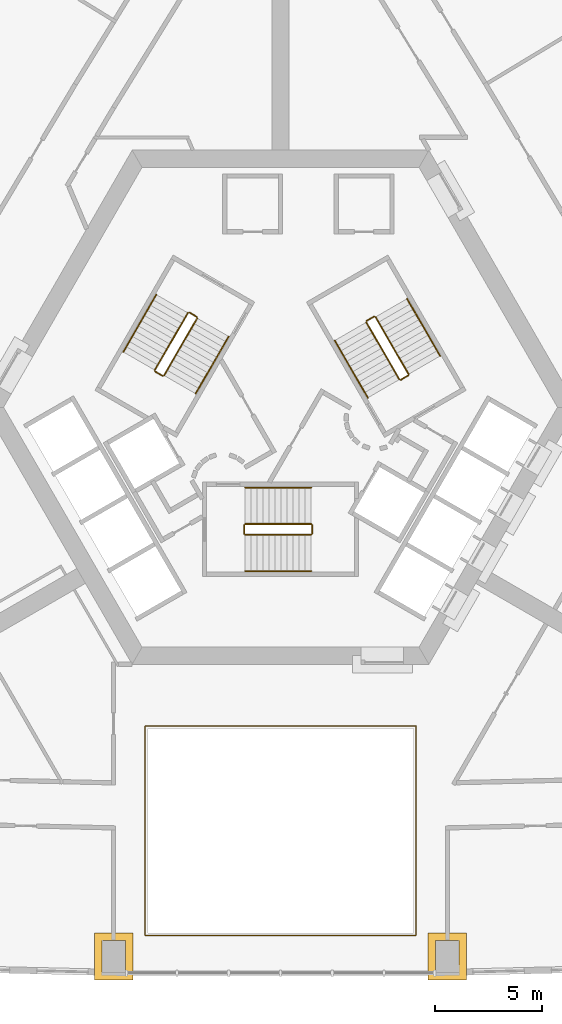
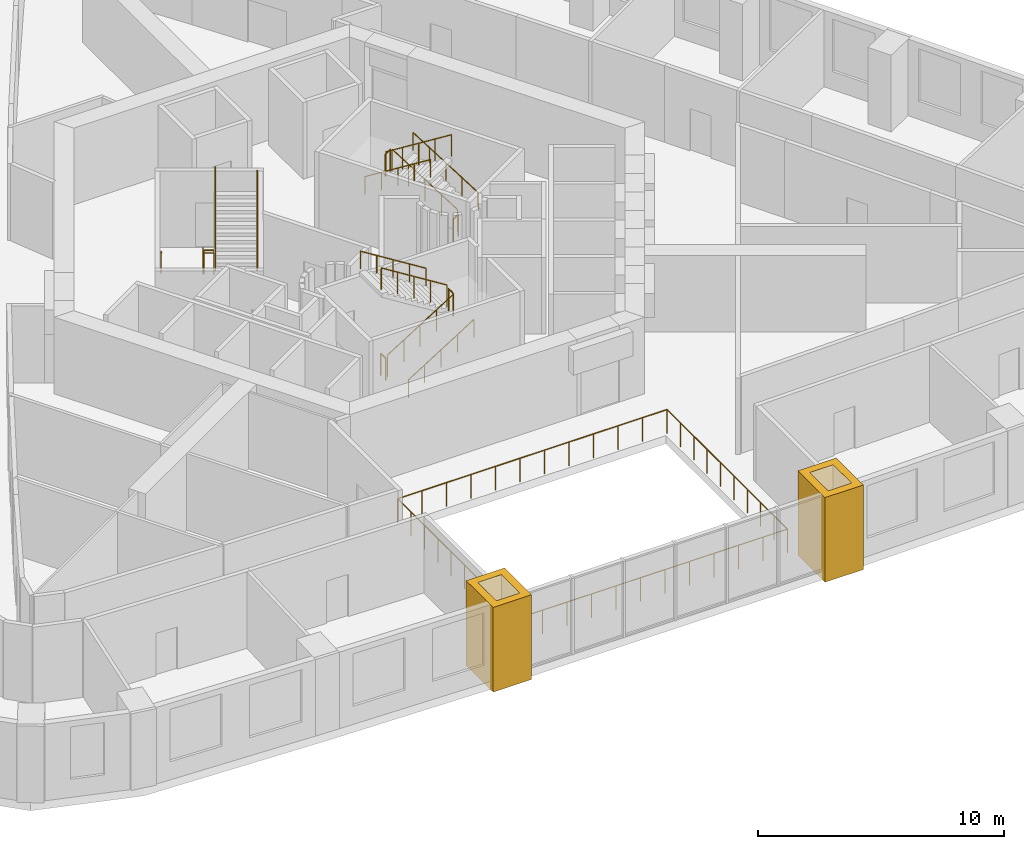
# One storey, part 12 of 12: 19 railings, 2 coverings.
"""IFC4 building model written with IfcOpenShell, lengths in metres."""

from ifc_helpers import new_model, si_unit, direction, frame, origin, origin_2d, place, context, subcontext, project, spatial, polyline, circle, outline, extrude, material, type_object, element, save


model = new_model("IFC4")

# Units and contexts
model_context = context("Model", 3, precision=1e-05, world=origin(), true_north=direction((0.0, 1.0)))
body_context = subcontext(model_context, "Body", "Model", "MODEL_VIEW")
ifc_project = project(units=[si_unit("LENGTHUNIT", "METRE"), si_unit("AREAUNIT", "SQUARE_METRE"), si_unit("VOLUMEUNIT", "CUBIC_METRE"), si_unit("PLANEANGLEUNIT", "RADIAN"), si_unit("MASSUNIT", "GRAM", prefix="KILO")], contexts=[model_context])

# Site, building, storey
site_placement = place(None, origin())
site = spatial("IfcSite", under=ifc_project, at=site_placement, CompositionType="ELEMENT")
building_placement = place(site_placement, origin())
building = spatial("IfcBuilding", under=site, at=building_placement, Name="Entoto Arch Interchange Tower", CompositionType="ELEMENT")
storey_placement = place(building_placement, frame((0.0, 0.0, 142.39990234375)))
storey = spatial("IfcBuildingStorey", under=building, at=storey_placement, Name="L31", CompositionType="ELEMENT", Elevation=142.39990234375)

# Railing
ifc_material_1 = material(Name="Stainless steel 1.4301", Category="steel")
railing_type_1 = type_object("IfcRailingType", Name="ATRIUM GUARD 1200 STEEL AND GLASS", PredefinedType="GUARDRAIL", material=ifc_material_1)
railing_1_placement = place(storey_placement, frame((6.320068359375, -22.160888671875, 0.0)))
element("IfcRailing", 1, at=railing_1_placement, inside=storey, type_object=railing_type_1, Name="Atrium guard L31", PredefinedType="GUARDRAIL", context=body_context, shape_type="SweptSolid", body=[
    extrude(circle(Radius=0.02392578125, at=origin_2d()), frame((0.0, 0.0, 1.17578125), z_axis=(-1.0, 0.0, 0.0), x_axis=(0.0, -1.0, 0.0)), (0.0, 0.0, 1.0), 12.64013671875),
    extrude(circle(Radius=0.02392578125, at=origin_2d()), frame((-12.64013671875, 0.0, 1.17578125), z_axis=(0.0, 1.0, 0.0), x_axis=(-1.0, 0.0, 0.0)), (0.0, 0.0, 1.0), 9.781005859375),
    extrude(circle(Radius=0.02392578125, at=origin_2d()), frame((-12.64013671875, 9.781005859375, 1.17578125), z_axis=(1.0, 0.0, 0.0), x_axis=(0.0, 1.0, 0.0)), (0.0, 0.0, 1.0), 12.64013671875),
    extrude(circle(Radius=0.02392578125, at=origin_2d()), frame((0.0, 9.781005859375, 1.17578125), z_axis=(0.0, -1.0, 0.0), x_axis=(1.0, 0.0, 0.0)), (0.0, 0.0, 1.0), 9.781005859375),
    extrude(circle(Radius=0.02099609375, at=origin_2d()), origin(), (0.0, 0.0, 1.0), 1.15185546875),
    extrude(circle(Radius=0.02099609375, at=origin_2d()), frame((-1.149169921875, 0.0, 0.0)), (0.0, 0.0, 1.0), 1.15185546875),
    extrude(circle(Radius=0.02099609375, at=origin_2d()), frame((-2.298095703125, 0.0, 0.0)), (0.0, 0.0, 1.0), 1.15185546875),
    extrude(circle(Radius=0.02099609375, at=origin_2d()), frame((-3.447265625, 0.0, 0.0)), (0.0, 0.0, 1.0), 1.15185546875),
    extrude(circle(Radius=0.02099609375, at=origin_2d()), frame((-4.596435546875, 0.0, 0.0)), (0.0, 0.0, 1.0), 1.15185546875),
    extrude(circle(Radius=0.02099609375, at=origin_2d()), frame((-5.74560546875, 0.0, 0.0)), (0.0, 0.0, 1.0), 1.15185546875),
    extrude(circle(Radius=0.02099609375, at=origin_2d()), frame((-6.89453125, 0.0, 0.0)), (0.0, 0.0, 1.0), 1.15185546875),
    extrude(circle(Radius=0.02099609375, at=origin_2d()), frame((-8.043701171875, 0.0, 0.0)), (0.0, 0.0, 1.0), 1.15185546875),
    extrude(circle(Radius=0.02099609375, at=origin_2d()), frame((-9.19287109375, 0.0, 0.0)), (0.0, 0.0, 1.0), 1.15185546875),
    extrude(circle(Radius=0.02099609375, at=origin_2d()), frame((-10.342041015625, 0.0, 0.0)), (0.0, 0.0, 1.0), 1.15185546875),
    extrude(circle(Radius=0.02099609375, at=origin_2d()), frame((-11.490966796875, 0.0, 0.0)), (0.0, 0.0, 1.0), 1.15185546875),
    extrude(circle(Radius=0.02099609375, at=origin_2d()), frame((-12.64013671875, 0.0, 0.0)), (0.0, 0.0, 1.0), 1.15185546875),
    extrude(circle(Radius=0.02099609375, at=origin_2d()), frame((-12.64013671875, 1.086669921875, 0.0)), (0.0, 0.0, 1.0), 1.15185546875),
    extrude(circle(Radius=0.02099609375, at=origin_2d()), frame((-12.64013671875, 2.173583984375, 0.0)), (0.0, 0.0, 1.0), 1.15185546875),
    extrude(circle(Radius=0.02099609375, at=origin_2d()), frame((-12.64013671875, 3.26025390625, 0.0)), (0.0, 0.0, 1.0), 1.15185546875),
    extrude(circle(Radius=0.02099609375, at=origin_2d()), frame((-12.64013671875, 4.34716796875, 0.0)), (0.0, 0.0, 1.0), 1.15185546875),
    extrude(circle(Radius=0.02099609375, at=origin_2d()), frame((-12.64013671875, 5.433837890625, 0.0)), (0.0, 0.0, 1.0), 1.15185546875),
    extrude(circle(Radius=0.02099609375, at=origin_2d()), frame((-12.64013671875, 6.520751953125, 0.0)), (0.0, 0.0, 1.0), 1.15185546875),
    extrude(circle(Radius=0.02099609375, at=origin_2d()), frame((-12.64013671875, 7.607421875, 0.0)), (0.0, 0.0, 1.0), 1.15185546875),
    extrude(circle(Radius=0.02099609375, at=origin_2d()), frame((-12.64013671875, 8.6943359375, 0.0)), (0.0, 0.0, 1.0), 1.15185546875),
    extrude(circle(Radius=0.02099609375, at=origin_2d()), frame((-12.64013671875, 9.781005859375, 0.0)), (0.0, 0.0, 1.0), 1.15185546875),
    extrude(circle(Radius=0.02099609375, at=origin_2d()), frame((-11.490966796875, 9.781005859375, 0.0)), (0.0, 0.0, 1.0), 1.15185546875),
    extrude(circle(Radius=0.02099609375, at=origin_2d()), frame((-10.342041015625, 9.781005859375, 0.0)), (0.0, 0.0, 1.0), 1.15185546875),
    extrude(circle(Radius=0.02099609375, at=origin_2d()), frame((-9.19287109375, 9.781005859375, 0.0)), (0.0, 0.0, 1.0), 1.15185546875),
    extrude(circle(Radius=0.02099609375, at=origin_2d()), frame((-8.043701171875, 9.781005859375, 0.0)), (0.0, 0.0, 1.0), 1.15185546875),
    extrude(circle(Radius=0.02099609375, at=origin_2d()), frame((-6.89453125, 9.781005859375, 0.0)), (0.0, 0.0, 1.0), 1.15185546875),
    extrude(circle(Radius=0.02099609375, at=origin_2d()), frame((-5.74560546875, 9.781005859375, 0.0)), (0.0, 0.0, 1.0), 1.15185546875),
    extrude(circle(Radius=0.02099609375, at=origin_2d()), frame((-4.596435546875, 9.781005859375, 0.0)), (0.0, 0.0, 1.0), 1.15185546875),
    extrude(circle(Radius=0.02099609375, at=origin_2d()), frame((-3.447265625, 9.781005859375, 0.0)), (0.0, 0.0, 1.0), 1.15185546875),
    extrude(circle(Radius=0.02099609375, at=origin_2d()), frame((-2.298095703125, 9.781005859375, 0.0)), (0.0, 0.0, 1.0), 1.15185546875),
    extrude(circle(Radius=0.02099609375, at=origin_2d()), frame((-1.149169921875, 9.781005859375, 0.0)), (0.0, 0.0, 1.0), 1.15185546875),
    extrude(circle(Radius=0.02099609375, at=origin_2d()), frame((0.0, 9.781005859375, 0.0)), (0.0, 0.0, 1.0), 1.15185546875),
    extrude(circle(Radius=0.02099609375, at=origin_2d()), frame((0.0, 8.6943359375, 0.0)), (0.0, 0.0, 1.0), 1.15185546875),
    extrude(circle(Radius=0.02099609375, at=origin_2d()), frame((0.0, 7.607421875, 0.0)), (0.0, 0.0, 1.0), 1.15185546875),
    extrude(circle(Radius=0.02099609375, at=origin_2d()), frame((0.0, 6.520751953125, 0.0)), (0.0, 0.0, 1.0), 1.15185546875),
    extrude(circle(Radius=0.02099609375, at=origin_2d()), frame((0.0, 5.433837890625, 0.0)), (0.0, 0.0, 1.0), 1.15185546875),
    extrude(circle(Radius=0.02099609375, at=origin_2d()), frame((0.0, 4.34716796875, 0.0)), (0.0, 0.0, 1.0), 1.15185546875),
    extrude(circle(Radius=0.02099609375, at=origin_2d()), frame((0.0, 3.26025390625, 0.0)), (0.0, 0.0, 1.0), 1.15185546875),
    extrude(circle(Radius=0.02099609375, at=origin_2d()), frame((0.0, 2.173583984375, 0.0)), (0.0, 0.0, 1.0), 1.15185546875),
    extrude(circle(Radius=0.02099609375, at=origin_2d()), frame((0.0, 1.086669921875, 0.0)), (0.0, 0.0, 1.0), 1.15185546875),
])

# Coverings
ifc_material_2 = material(Name="Board-marked precast concrete C50/60", Category="concrete")
covering_type = type_object("IfcCoveringType", Name="PRECAST FRAME COURSE", PredefinedType="CLADDING", material=ifc_material_2)
covering_1_placement = place(storey_placement, frame((0.0, 0.0, -0.39990234375)))
element("IfcCovering", 2, at=covering_1_placement, inside=storey, type_object=covering_type, Name="Gate pier L31", PredefinedType="CLADDING", context=body_context, shape_type="SweptSolid", body=[
    extrude(outline(polyline([(-8.68896484375, -22.041015625), (-6.888916015625, -22.041015625), (-6.888916015625, -24.240966796875), (-8.68896484375, -24.240966796875), (-8.68896484375, -22.041015625)]), holes=[polyline([(-8.339111328125, -22.39111328125), (-8.339111328125, -23.89111328125), (-7.239013671875, -23.89111328125), (-7.239013671875, -22.39111328125), (-8.339111328125, -22.39111328125)])]), origin(), (0.0, 0.0, 1.0), 4.199951171875),
])
covering_2_placement = place(storey_placement, frame((0.0, 0.0, -0.39990234375)))
element("IfcCovering", 3, at=covering_2_placement, inside=storey, type_object=covering_type, Name="Gate pier L31", PredefinedType="CLADDING", context=body_context, shape_type="SweptSolid", body=[
    extrude(outline(polyline([(6.888916015625, -22.041015625), (8.68896484375, -22.041015625), (8.68896484375, -24.240966796875), (6.888916015625, -24.240966796875), (6.888916015625, -22.041015625)]), holes=[polyline([(7.239013671875, -22.39111328125), (7.239013671875, -23.89111328125), (8.339111328125, -23.89111328125), (8.339111328125, -22.39111328125), (7.239013671875, -22.39111328125)])]), origin(), (0.0, 0.0, 1.0), 4.199951171875),
])

# Railings
railing_type_2 = type_object("IfcRailingType", Name="STAIR GUARD 1100 STEEL", PredefinedType="GUARDRAIL", material=ifc_material_1)
railing_2_placement = place(storey_placement, frame((-1.64990234375, -3.449951171875, 0.175048828125)))
element("IfcRailing", 4, at=railing_2_placement, inside=storey, type_object=railing_type_2, Name="L31 ST-S stair guard 1", PredefinedType="GUARDRAIL", context=body_context, shape_type="SweptSolid", body=[
    extrude(circle(Radius=0.02392578125, at=origin_2d()), frame((0.0, 0.0, 1.076171875), z_axis=(0.847979421464, 0.0, 0.530029150871), x_axis=(0.0, 1.0, 0.0)), (0.0, 0.0, 1.0), 3.632080078125),
    extrude(circle(Radius=0.02099609375, at=origin_2d()), origin(), (0.0, 0.0, 1.0), 1.052001953125),
    extrude(circle(Radius=0.02099609375, at=origin_2d()), frame((0.77001953125, 0.0, 0.481201171875)), (0.0, 0.0, 1.0), 1.052001953125),
    extrude(circle(Radius=0.02099609375, at=origin_2d()), frame((1.5400390625, 0.0, 0.96240234375)), (0.0, 0.0, 1.0), 1.052001953125),
    extrude(circle(Radius=0.02099609375, at=origin_2d()), frame((2.309814453125, 0.0, 1.44384765625)), (0.0, 0.0, 1.0), 1.052001953125),
    extrude(circle(Radius=0.02099609375, at=origin_2d()), frame((3.079833984375, 0.0, 1.925048828125)), (0.0, 0.0, 1.0), 1.052001953125),
])
railing_3_placement = place(storey_placement, frame((1.47998046875, -3.39990234375, 2.10009765625)))
element("IfcRailing", 5, at=railing_3_placement, inside=storey, type_object=railing_type_2, Name="L31 ST-S stair guard 2", PredefinedType="GUARDRAIL", context=body_context, shape_type="SweptSolid", body=[
    extrude(circle(Radius=0.02392578125, at=origin_2d()), frame((0.0, 0.0, 1.076171875), z_axis=(0.0, 1.0, 0.0), x_axis=(-1.0, 0.0, 0.0)), (0.0, 0.0, 1.0), 0.39990234375),
    extrude(circle(Radius=0.02099609375, at=origin_2d()), origin(), (0.0, 0.0, 1.0), 1.052001953125),
    extrude(circle(Radius=0.02099609375, at=origin_2d()), frame((0.0, 0.39990234375, 0.0)), (0.0, 0.0, 1.0), 1.052001953125),
])
railing_4_placement = place(storey_placement, frame((1.429931640625, -2.949951171875, 2.275146484375)))
element("IfcRailing", 6, at=railing_4_placement, inside=storey, type_object=railing_type_2, Name="L31 ST-S stair guard 3", PredefinedType="GUARDRAIL", context=body_context, shape_type="SweptSolid", body=[
    extrude(circle(Radius=0.02392578125, at=origin_2d()), frame((0.0, 0.0, 1.076171875), z_axis=(-0.847979421464, 0.0, 0.530029150871), x_axis=(0.0, -1.0, 0.0)), (0.0, 0.0, 1.0), 3.632080078125),
    extrude(circle(Radius=0.02099609375, at=origin_2d()), origin(), (0.0, 0.0, 1.0), 1.052001953125),
    extrude(circle(Radius=0.02099609375, at=origin_2d()), frame((-0.77001953125, 0.0, 0.481201171875)), (0.0, 0.0, 1.0), 1.052001953125),
    extrude(circle(Radius=0.02099609375, at=origin_2d()), frame((-1.5400390625, 0.0, 0.96240234375)), (0.0, 0.0, 1.0), 1.052001953125),
    extrude(circle(Radius=0.02099609375, at=origin_2d()), frame((-2.309814453125, 0.0, 1.44384765625)), (0.0, 0.0, 1.0), 1.052001953125),
    extrude(circle(Radius=0.02099609375, at=origin_2d()), frame((-3.079833984375, 0.0, 1.925048828125)), (0.0, 0.0, 1.0), 1.052001953125),
])
railing_5_placement = place(storey_placement, frame((-1.699951171875, -3.39990234375, 0.0)))
element("IfcRailing", 7, at=railing_5_placement, inside=storey, type_object=railing_type_2, Name="L31 ST-S stair guard 4", PredefinedType="GUARDRAIL", context=body_context, shape_type="SweptSolid", body=[
    extrude(circle(Radius=0.02392578125, at=origin_2d()), frame((0.0, 0.0, 1.076171875), z_axis=(0.0, 1.0, 0.0), x_axis=(-1.0, 0.0, 0.0)), (0.0, 0.0, 1.0), 0.39990234375),
    extrude(circle(Radius=0.02099609375, at=origin_2d()), origin(), (0.0, 0.0, 1.0), 1.052001953125),
    extrude(circle(Radius=0.02099609375, at=origin_2d()), frame((0.0, 0.39990234375, 0.0)), (0.0, 0.0, 1.0), 1.052001953125),
])
railing_6_placement = place(storey_placement, frame((5.977783203125, 4.046142578125, 0.175048828125)))
element("IfcRailing", 8, at=railing_6_placement, inside=storey, type_object=railing_type_2, Name="L31 ST-NE stair guard 1", PredefinedType="GUARDRAIL", context=body_context, shape_type="SweptSolid", body=[
    extrude(circle(Radius=0.02392578125, at=origin_2d()), frame((0.0, 0.0, 1.076171875), z_axis=(-0.424015404183, 0.734364028329, 0.530019255228), x_axis=(-0.866010015463, -0.500026652407, 0.0)), (0.0, 0.0, 1.0), 3.632080078125),
    extrude(circle(Radius=0.02099609375, at=origin_2d()), origin(), (0.0, 0.0, 1.0), 1.052001953125),
    extrude(circle(Radius=0.02099609375, at=origin_2d()), frame((-0.385009765625, 0.666748046875, 0.481201171875)), (0.0, 0.0, 1.0), 1.052001953125),
    extrude(circle(Radius=0.02099609375, at=origin_2d()), frame((-0.77001953125, 1.33349609375, 0.96240234375)), (0.0, 0.0, 1.0), 1.052001953125),
    extrude(circle(Radius=0.02099609375, at=origin_2d()), frame((-1.155029296875, 2.00048828125, 1.44384765625)), (0.0, 0.0, 1.0), 1.052001953125),
    extrude(circle(Radius=0.02099609375, at=origin_2d()), frame((-1.5400390625, 2.667236328125, 1.925048828125)), (0.0, 0.0, 1.0), 1.052001953125),
])
railing_7_placement = place(storey_placement, frame((4.36962890625, 6.731689453125, 2.10009765625)))
element("IfcRailing", 9, at=railing_7_placement, inside=storey, type_object=railing_type_2, Name="L31 ST-NE stair guard 2", PredefinedType="GUARDRAIL", context=body_context, shape_type="SweptSolid", body=[
    extrude(circle(Radius=0.02392578125, at=origin_2d()), frame((0.0, 0.0, 1.076171875), z_axis=(-0.866094119867, -0.499880961361, 0.0), x_axis=(0.499880961361, -0.866094119867, 0.0)), (0.0, 0.0, 1.0), 0.39990234375),
    extrude(circle(Radius=0.02099609375, at=origin_2d()), origin(), (0.0, 0.0, 1.0), 1.052001953125),
    extrude(circle(Radius=0.02099609375, at=origin_2d()), frame((-0.346435546875, -0.199951171875, 0.0)), (0.0, 0.0, 1.0), 1.052001953125),
])
railing_8_placement = place(storey_placement, frame((4.0048828125, 6.46337890625, 2.275146484375)))
element("IfcRailing", 10, at=railing_8_placement, inside=storey, type_object=railing_type_2, Name="L31 ST-NE stair guard 3", PredefinedType="GUARDRAIL", context=body_context, shape_type="SweptSolid", body=[
    extrude(circle(Radius=0.02392578125, at=origin_2d()), frame((0.0, 0.0, 1.076171875), z_axis=(0.424015404183, -0.734364028329, 0.530019255228), x_axis=(0.866010015463, 0.500026652407, 0.0)), (0.0, 0.0, 1.0), 3.632080078125),
    extrude(circle(Radius=0.02099609375, at=origin_2d()), origin(), (0.0, 0.0, 1.0), 1.052001953125),
    extrude(circle(Radius=0.02099609375, at=origin_2d()), frame((0.385009765625, -0.666748046875, 0.481201171875)), (0.0, 0.0, 1.0), 1.052001953125),
    extrude(circle(Radius=0.02099609375, at=origin_2d()), frame((0.77001953125, -1.33349609375, 0.96240234375)), (0.0, 0.0, 1.0), 1.052001953125),
    extrude(circle(Radius=0.02099609375, at=origin_2d()), frame((1.155029296875, -2.00048828125, 1.44384765625)), (0.0, 0.0, 1.0), 1.052001953125),
    extrude(circle(Radius=0.02099609375, at=origin_2d()), frame((1.5400390625, -2.667236328125, 1.925048828125)), (0.0, 0.0, 1.0), 1.052001953125),
])
railing_9_placement = place(storey_placement, frame((5.95947265625, 3.977783203125, 0.0)))
element("IfcRailing", 11, at=railing_9_placement, inside=storey, type_object=railing_type_2, Name="L31 ST-NE stair guard 4", PredefinedType="GUARDRAIL", context=body_context, shape_type="SweptSolid", body=[
    extrude(circle(Radius=0.02392578125, at=origin_2d()), frame((0.0, 0.0, 1.076171875), z_axis=(-0.866094119867, -0.499880961361, 0.0), x_axis=(0.499880961361, -0.866094119867, 0.0)), (0.0, 0.0, 1.0), 0.39990234375),
    extrude(circle(Radius=0.02099609375, at=origin_2d()), origin(), (0.0, 0.0, 1.0), 1.052001953125),
    extrude(circle(Radius=0.02099609375, at=origin_2d()), frame((-0.346435546875, -0.199951171875, 0.0)), (0.0, 0.0, 1.0), 1.052001953125),
])
railing_10_placement = place(storey_placement, frame((-4.327880859375, 6.904052734375, 0.175048828125)))
element("IfcRailing", 12, at=railing_10_placement, inside=storey, type_object=railing_type_2, Name="L31 ST-NW stair guard 1", PredefinedType="GUARDRAIL", context=body_context, shape_type="SweptSolid", body=[
    extrude(circle(Radius=0.02392578125, at=origin_2d()), frame((0.0, 0.0, 1.076171875), z_axis=(-0.423994474112, -0.734394994316, 0.52999309264), x_axis=(0.866029832698, -0.499992328818, 0.0)), (0.0, 0.0, 1.0), 3.63232421875),
    extrude(circle(Radius=0.02099609375, at=origin_2d()), origin(), (0.0, 0.0, 1.0), 1.052001953125),
    extrude(circle(Radius=0.02099609375, at=origin_2d()), frame((-0.385009765625, -0.6669921875, 0.481201171875)), (0.0, 0.0, 1.0), 1.052001953125),
    extrude(circle(Radius=0.02099609375, at=origin_2d()), frame((-0.77001953125, -1.333740234375, 0.96240234375)), (0.0, 0.0, 1.0), 1.052001953125),
    extrude(circle(Radius=0.02099609375, at=origin_2d()), frame((-1.155029296875, -2.00048828125, 1.44384765625)), (0.0, 0.0, 1.0), 1.052001953125),
    extrude(circle(Radius=0.02099609375, at=origin_2d()), frame((-1.5400390625, -2.66748046875, 1.925048828125)), (0.0, 0.0, 1.0), 1.052001953125),
])
railing_11_placement = place(storey_placement, frame((-5.849609375, 4.168212890625, 2.10009765625)))
element("IfcRailing", 13, at=railing_11_placement, inside=storey, type_object=railing_type_2, Name="L31 ST-NW stair guard 2", PredefinedType="GUARDRAIL", context=body_context, shape_type="SweptSolid", body=[
    extrude(circle(Radius=0.02392578125, at=origin_2d()), frame((0.0, 0.0, 1.076171875), z_axis=(0.866094119867, -0.499880961361, 0.0), x_axis=(0.499880961361, 0.866094119867, 0.0)), (0.0, 0.0, 1.0), 0.39990234375),
    extrude(circle(Radius=0.02099609375, at=origin_2d()), origin(), (0.0, 0.0, 1.0), 1.052001953125),
    extrude(circle(Radius=0.02099609375, at=origin_2d()), frame((0.346435546875, -0.199951171875, 0.0)), (0.0, 0.0, 1.0), 1.052001953125),
])
railing_12_placement = place(storey_placement, frame((-5.434814453125, 3.986572265625, 2.275146484375)))
element("IfcRailing", 14, at=railing_12_placement, inside=storey, type_object=railing_type_2, Name="L31 ST-NW stair guard 3", PredefinedType="GUARDRAIL", context=body_context, shape_type="SweptSolid", body=[
    extrude(circle(Radius=0.02392578125, at=origin_2d()), frame((0.0, 0.0, 1.076171875), z_axis=(0.423994474112, 0.734394994316, 0.52999309264), x_axis=(-0.866029832698, 0.499992328818, 0.0)), (0.0, 0.0, 1.0), 3.63232421875),
    extrude(circle(Radius=0.02099609375, at=origin_2d()), origin(), (0.0, 0.0, 1.0), 1.052001953125),
    extrude(circle(Radius=0.02099609375, at=origin_2d()), frame((0.385009765625, 0.6669921875, 0.481201171875)), (0.0, 0.0, 1.0), 1.052001953125),
    extrude(circle(Radius=0.02099609375, at=origin_2d()), frame((0.77001953125, 1.333740234375, 0.96240234375)), (0.0, 0.0, 1.0), 1.052001953125),
    extrude(circle(Radius=0.02099609375, at=origin_2d()), frame((1.155029296875, 2.00048828125, 1.44384765625)), (0.0, 0.0, 1.0), 1.052001953125),
    extrude(circle(Radius=0.02099609375, at=origin_2d()), frame((1.5400390625, 2.66748046875, 1.925048828125)), (0.0, 0.0, 1.0), 1.052001953125),
])
railing_13_placement = place(storey_placement, frame((-4.259521484375, 6.92236328125, 0.0)))
element("IfcRailing", 15, at=railing_13_placement, inside=storey, type_object=railing_type_2, Name="L31 ST-NW stair guard 4", PredefinedType="GUARDRAIL", context=body_context, shape_type="SweptSolid", body=[
    extrude(circle(Radius=0.02392578125, at=origin_2d()), frame((0.0, 0.0, 1.076171875), z_axis=(0.865829829939, -0.500338590944, 0.0), x_axis=(0.500338590944, 0.865829829939, 0.0)), (0.0, 0.0, 1.0), 0.400146484375),
    extrude(circle(Radius=0.02099609375, at=origin_2d()), origin(), (0.0, 0.0, 1.0), 1.052001953125),
    extrude(circle(Radius=0.02099609375, at=origin_2d()), frame((0.346435546875, -0.2001953125, 0.0)), (0.0, 0.0, 1.0), 1.052001953125),
])
railing_type_3 = type_object("IfcRailingType", Name="STAIR HANDRAIL 900 STEEL", PredefinedType="HANDRAIL", material=ifc_material_1)
railing_14_placement = place(storey_placement, frame((-1.64990234375, -5.14990234375, 0.175048828125)))
element("IfcRailing", 16, at=railing_14_placement, inside=storey, type_object=railing_type_3, Name="L31 ST-S stair handrail 1", PredefinedType="HANDRAIL", context=body_context, shape_type="SweptSolid", body=[
    extrude(circle(Radius=0.02392578125, at=origin_2d()), frame((0.0, 0.0, 0.8759765625), z_axis=(0.847979421464, 0.0, 0.530029150871), x_axis=(0.0, 1.0, 0.0)), (0.0, 0.0, 1.0), 3.632080078125),
    extrude(circle(Radius=0.02099609375, at=origin_2d()), origin(), (0.0, 0.0, 1.0), 0.851806640625),
    extrude(circle(Radius=0.02099609375, at=origin_2d()), frame((0.77001953125, 0.0, 0.481201171875)), (0.0, 0.0, 1.0), 0.851806640625),
    extrude(circle(Radius=0.02099609375, at=origin_2d()), frame((1.5400390625, 0.0, 0.96240234375)), (0.0, 0.0, 1.0), 0.851806640625),
    extrude(circle(Radius=0.02099609375, at=origin_2d()), frame((2.309814453125, 0.0, 1.44384765625)), (0.0, 0.0, 1.0), 0.851806640625),
    extrude(circle(Radius=0.02099609375, at=origin_2d()), frame((3.079833984375, 0.0, 1.925048828125)), (0.0, 0.0, 1.0), 0.851806640625),
])
railing_15_placement = place(storey_placement, frame((1.429931640625, -1.25, 2.275146484375)))
element("IfcRailing", 17, at=railing_15_placement, inside=storey, type_object=railing_type_3, Name="L31 ST-S stair handrail 2", PredefinedType="HANDRAIL", context=body_context, shape_type="SweptSolid", body=[
    extrude(circle(Radius=0.02392578125, at=origin_2d()), frame((0.0, 0.0, 0.8759765625), z_axis=(-0.847979421464, 0.0, 0.530029150871), x_axis=(0.0, -1.0, 0.0)), (0.0, 0.0, 1.0), 3.632080078125),
    extrude(circle(Radius=0.02099609375, at=origin_2d()), origin(), (0.0, 0.0, 1.0), 0.851806640625),
    extrude(circle(Radius=0.02099609375, at=origin_2d()), frame((-0.77001953125, 0.0, 0.481201171875)), (0.0, 0.0, 1.0), 0.851806640625),
    extrude(circle(Radius=0.02099609375, at=origin_2d()), frame((-1.5400390625, 0.0, 0.96240234375)), (0.0, 0.0, 1.0), 0.851806640625),
    extrude(circle(Radius=0.02099609375, at=origin_2d()), frame((-2.309814453125, 0.0, 1.44384765625)), (0.0, 0.0, 1.0), 0.851806640625),
    extrude(circle(Radius=0.02099609375, at=origin_2d()), frame((-3.079833984375, 0.0, 1.925048828125)), (0.0, 0.0, 1.0), 0.851806640625),
])
railing_16_placement = place(storey_placement, frame((7.4501953125, 4.89599609375, 0.175048828125)))
element("IfcRailing", 18, at=railing_16_placement, inside=storey, type_object=railing_type_3, Name="L31 ST-NE stair handrail 1", PredefinedType="HANDRAIL", context=body_context, shape_type="SweptSolid", body=[
    extrude(circle(Radius=0.02392578125, at=origin_2d()), frame((0.0, 0.0, 0.8759765625), z_axis=(-0.423994474112, 0.734394994316, 0.52999309264), x_axis=(-0.866029832698, -0.499992328818, 0.0)), (0.0, 0.0, 1.0), 3.63232421875),
    extrude(circle(Radius=0.02099609375, at=origin_2d()), origin(), (0.0, 0.0, 1.0), 0.851806640625),
    extrude(circle(Radius=0.02099609375, at=origin_2d()), frame((-0.385009765625, 0.6669921875, 0.481201171875)), (0.0, 0.0, 1.0), 0.851806640625),
    extrude(circle(Radius=0.02099609375, at=origin_2d()), frame((-0.77001953125, 1.333740234375, 0.96240234375)), (0.0, 0.0, 1.0), 0.851806640625),
    extrude(circle(Radius=0.02099609375, at=origin_2d()), frame((-1.155029296875, 2.00048828125, 1.44384765625)), (0.0, 0.0, 1.0), 0.851806640625),
    extrude(circle(Radius=0.02099609375, at=origin_2d()), frame((-1.5400390625, 2.66748046875, 1.925048828125)), (0.0, 0.0, 1.0), 0.851806640625),
])
railing_17_placement = place(storey_placement, frame((2.53271484375, 5.613525390625, 2.275146484375)))
element("IfcRailing", 19, at=railing_17_placement, inside=storey, type_object=railing_type_3, Name="L31 ST-NE stair handrail 2", PredefinedType="HANDRAIL", context=body_context, shape_type="SweptSolid", body=[
    extrude(circle(Radius=0.02392578125, at=origin_2d()), frame((0.0, 0.0, 0.8759765625), z_axis=(0.423939339791, -0.734415923031, 0.53000819633), x_axis=(0.866064153644, 0.499932877268, 0.0)), (0.0, 0.0, 1.0), 3.632080078125),
    extrude(circle(Radius=0.02099609375, at=origin_2d()), origin(), (0.0, 0.0, 1.0), 0.851806640625),
    extrude(circle(Radius=0.02099609375, at=origin_2d()), frame((0.385009765625, -0.6669921875, 0.481201171875)), (0.0, 0.0, 1.0), 0.851806640625),
    extrude(circle(Radius=0.02099609375, at=origin_2d()), frame((0.77001953125, -1.333740234375, 0.96240234375)), (0.0, 0.0, 1.0), 0.851806640625),
    extrude(circle(Radius=0.02099609375, at=origin_2d()), frame((1.15478515625, -2.00048828125, 1.44384765625)), (0.0, 0.0, 1.0), 0.851806640625),
    extrude(circle(Radius=0.02099609375, at=origin_2d()), frame((1.539794921875, -2.66748046875, 1.925048828125)), (0.0, 0.0, 1.0), 0.851806640625),
])
railing_18_placement = place(storey_placement, frame((-5.800048828125, 7.75390625, 0.175048828125)))
element("IfcRailing", 20, at=railing_18_placement, inside=storey, type_object=railing_type_3, Name="L31 ST-NW stair handrail 1", PredefinedType="HANDRAIL", context=body_context, shape_type="SweptSolid", body=[
    extrude(circle(Radius=0.02392578125, at=origin_2d()), frame((0.0, 0.0, 0.8759765625), z_axis=(-0.424015404183, -0.734364028329, 0.530019255228), x_axis=(0.866010015463, -0.500026652407, 0.0)), (0.0, 0.0, 1.0), 3.632080078125),
    extrude(circle(Radius=0.02099609375, at=origin_2d()), origin(), (0.0, 0.0, 1.0), 0.851806640625),
    extrude(circle(Radius=0.02099609375, at=origin_2d()), frame((-0.385009765625, -0.666748046875, 0.481201171875)), (0.0, 0.0, 1.0), 0.851806640625),
    extrude(circle(Radius=0.02099609375, at=origin_2d()), frame((-0.77001953125, -1.33349609375, 0.96240234375)), (0.0, 0.0, 1.0), 0.851806640625),
    extrude(circle(Radius=0.02099609375, at=origin_2d()), frame((-1.155029296875, -2.00048828125, 1.44384765625)), (0.0, 0.0, 1.0), 0.851806640625),
    extrude(circle(Radius=0.02099609375, at=origin_2d()), frame((-1.5400390625, -2.667236328125, 1.925048828125)), (0.0, 0.0, 1.0), 0.851806640625),
])
railing_19_placement = place(storey_placement, frame((-3.962646484375, 3.136474609375, 2.275146484375)))
element("IfcRailing", 21, at=railing_19_placement, inside=storey, type_object=railing_type_3, Name="L31 ST-NW stair handrail 2", PredefinedType="HANDRAIL", context=body_context, shape_type="SweptSolid", body=[
    extrude(circle(Radius=0.02392578125, at=origin_2d()), frame((0.0, 0.0, 0.8759765625), z_axis=(0.423994474112, 0.734394994316, 0.52999309264), x_axis=(-0.866029832698, 0.499992328818, 0.0)), (0.0, 0.0, 1.0), 3.63232421875),
    extrude(circle(Radius=0.02099609375, at=origin_2d()), origin(), (0.0, 0.0, 1.0), 0.851806640625),
    extrude(circle(Radius=0.02099609375, at=origin_2d()), frame((0.385009765625, 0.6669921875, 0.481201171875)), (0.0, 0.0, 1.0), 0.851806640625),
    extrude(circle(Radius=0.02099609375, at=origin_2d()), frame((0.77001953125, 1.333740234375, 0.96240234375)), (0.0, 0.0, 1.0), 0.851806640625),
    extrude(circle(Radius=0.02099609375, at=origin_2d()), frame((1.155029296875, 2.00048828125, 1.44384765625)), (0.0, 0.0, 1.0), 0.851806640625),
    extrude(circle(Radius=0.02099609375, at=origin_2d()), frame((1.5400390625, 2.66748046875, 1.925048828125)), (0.0, 0.0, 1.0), 0.851806640625),
])

save(model, "model.ifc")
